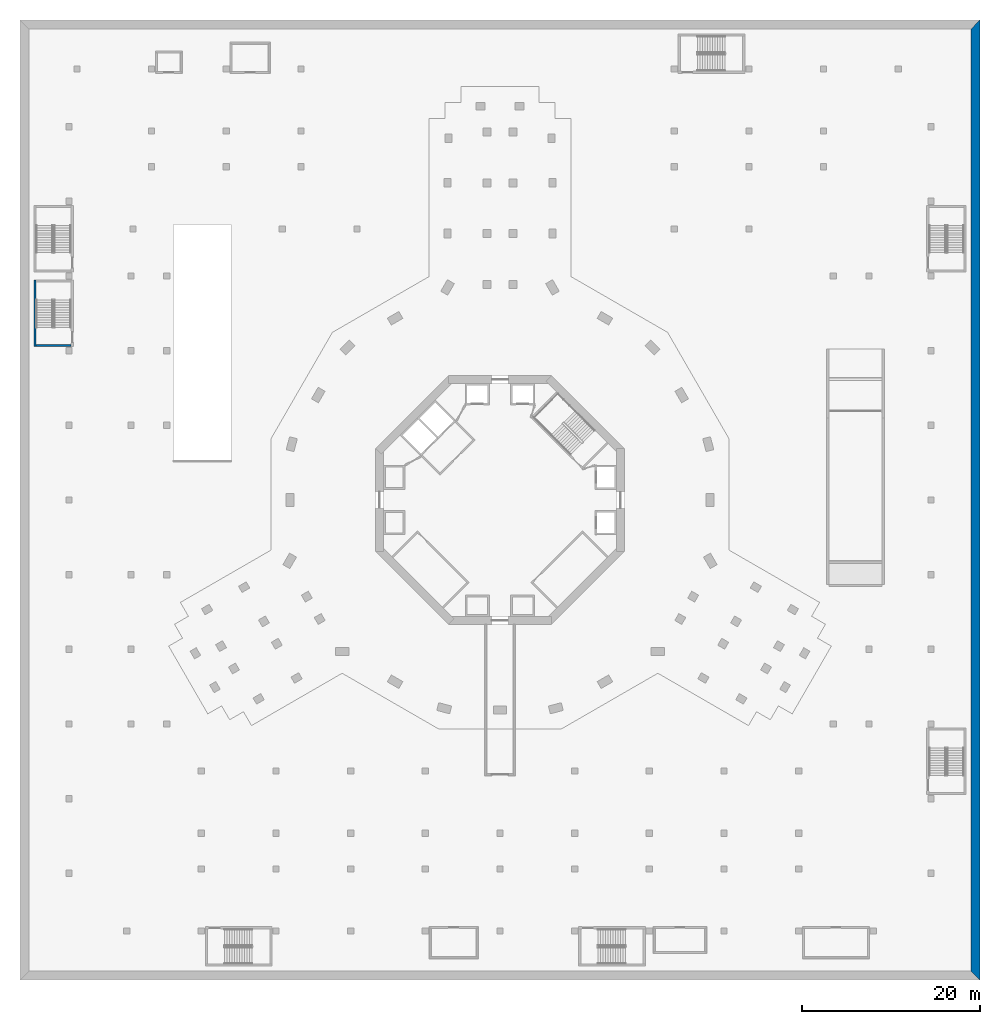
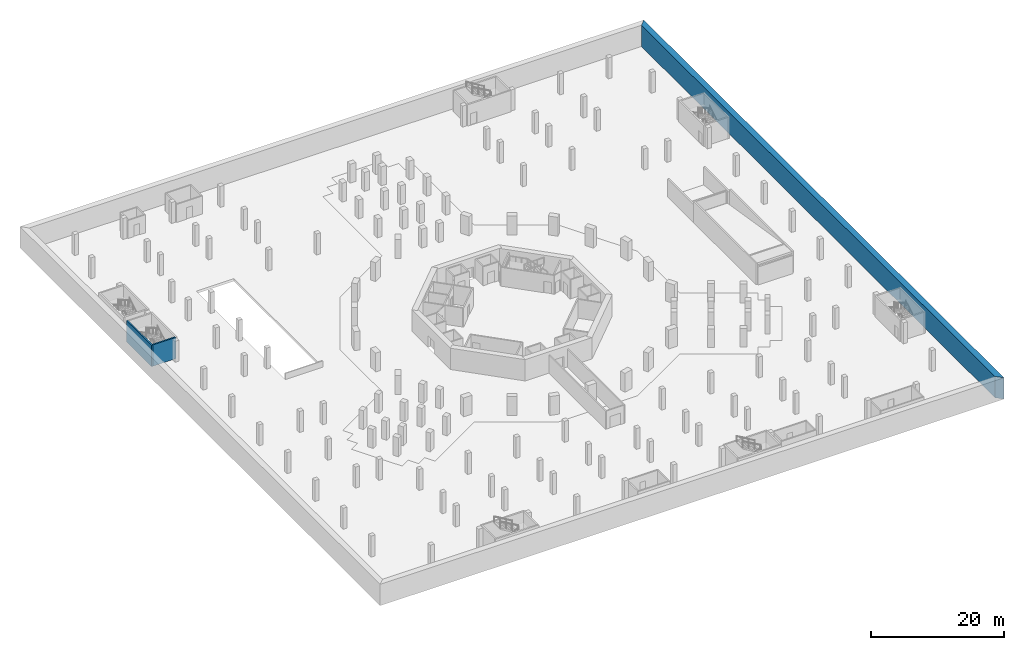
# One storey, part 9 of 25: 3 walls.
"""IFC4 building model written with IfcOpenShell, lengths in metres."""

from ifc_helpers import new_model, si_unit, direction, frame, frame_2d, origin, place, context, subcontext, project, spatial, polyline, rectangle, outline, extrude, material, layer, layer_set, type_object, element, save


model = new_model("IFC4")

# Units and contexts
model_context = context("Model", 3, precision=1e-05, world=origin(), true_north=direction((0.0, 1.0)))
body_context = subcontext(model_context, "Body", "Model", "MODEL_VIEW")
ifc_project = project(units=[si_unit("LENGTHUNIT", "METRE"), si_unit("AREAUNIT", "SQUARE_METRE"), si_unit("VOLUMEUNIT", "CUBIC_METRE"), si_unit("PLANEANGLEUNIT", "RADIAN"), si_unit("MASSUNIT", "GRAM", prefix="KILO")], contexts=[model_context])

# Site, building, storey
site_placement = place(None, origin())
site = spatial("IfcSite", under=ifc_project, at=site_placement, CompositionType="ELEMENT")
building_placement = place(site_placement, origin())
building = spatial("IfcBuilding", under=site, at=building_placement, Name="Verdalira Terraces Hotel", CompositionType="ELEMENT")
storey_placement = place(building_placement, frame((0.0, 0.0, -3.899902)))
storey = spatial("IfcBuildingStorey", under=building, at=storey_placement, Name="B1", CompositionType="ELEMENT", Elevation=-3.89990234375)

# Walls
ifc_material_1 = material(Name="Concrete C40", Category="concrete")
ifc_layer_1 = layer(ifc_material_1, 1.0)
ifc_layer_set_1 = layer_set([ifc_layer_1], Name="Retaining wall 1000 C40")
wall_type_1 = type_object("IfcWallType", Name="Retaining wall 1000 C40", PredefinedType="SOLIDWALL", material=ifc_layer_set_1)
wall_1_placement = place(storey_placement, origin())
element("IfcWall", 1, at=wall_1_placement, inside=storey, type_object=wall_type_1, Name="Retaining wall B1 side 4", PredefinedType="SOLIDWALL", context=body_context, shape_type="SweptSolid", body=[
    extrude(outline(polyline([(54.0, -54.0), (54.0, 54.0), (53.0, 53.0), (53.0, -53.0), (54.0, -54.0)])), origin(), (0.0, 0.0, 1.0), 3.899902),
])
ifc_material_2 = material(Name="Concrete C40", Category="concrete")
ifc_layer_2 = layer(ifc_material_2, 0.25)
ifc_layer_set_2 = layer_set([ifc_layer_2], Name="Stair enclosure wall 250 C40")
wall_type_2 = type_object("IfcWallType", Name="Stair enclosure wall 250 C40", PredefinedType="SOLIDWALL", material=ifc_layer_set_2)
wall_2_placement = place(storey_placement, frame((-52.324951, 17.25, 0.0), z_axis=(0.0, 0.0, 1.0), x_axis=(0.0, 1.0, 0.0)))
element("IfcWall", 2, at=wall_2_placement, inside=storey, type_object=wall_type_2, Name="Stair BS7 enclosure wall", PredefinedType="SOLIDWALL", context=body_context, shape_type="SweptSolid", body=[
    extrude(rectangle(XDim=7.5, YDim=0.25, at=frame_2d((3.75, 0.0))), origin(), (0.0, 0.0, 1.0), 3.899902),
])
wall_3_placement = place(storey_placement, frame((-48.25, 17.375, 0.0), z_axis=(0.0, 0.0, 1.0), x_axis=(-1.0, 0.0, 0.0)))
element("IfcWall", 3, at=wall_3_placement, inside=storey, type_object=wall_type_2, Name="Stair BS7 enclosure wall", PredefinedType="SOLIDWALL", context=body_context, shape_type="SweptSolid", body=[
    extrude(rectangle(XDim=3.949951, YDim=0.25, at=frame_2d((1.975098, 0.0))), origin(), (0.0, 0.0, 1.0), 3.899902),
])

save(model, "model.ifc")
